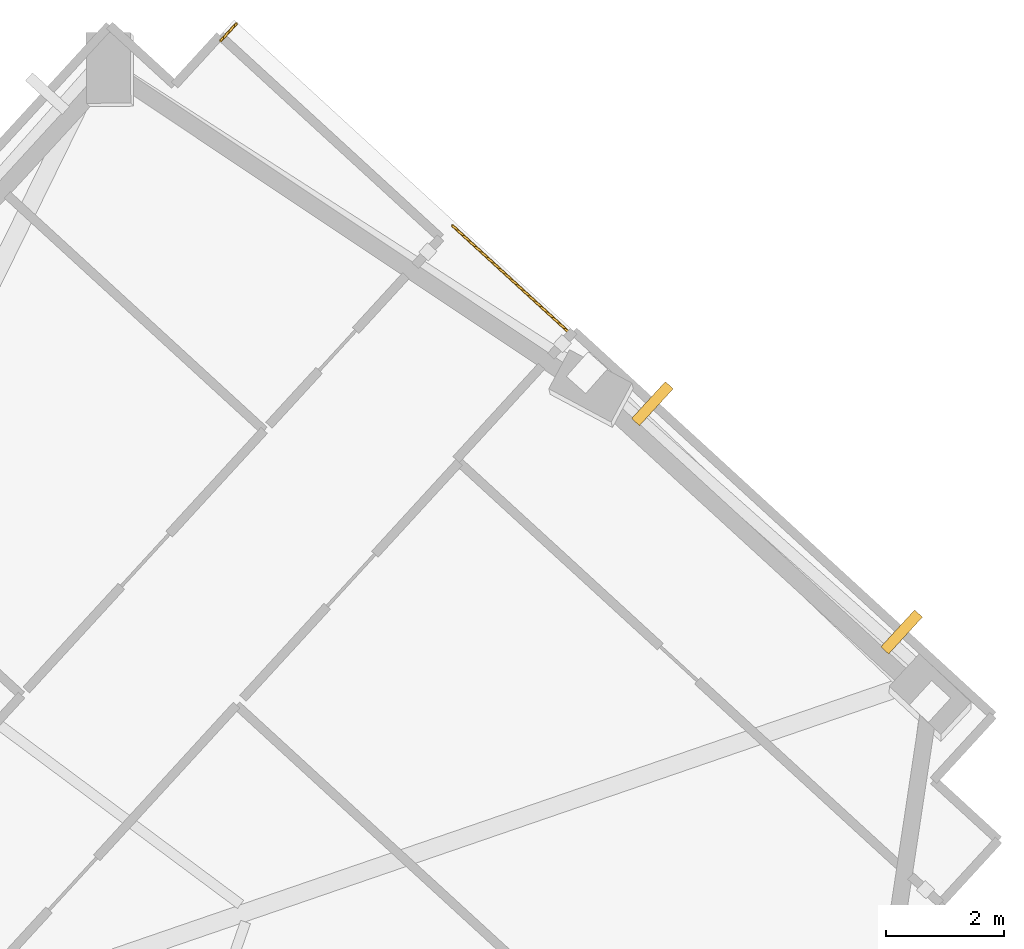
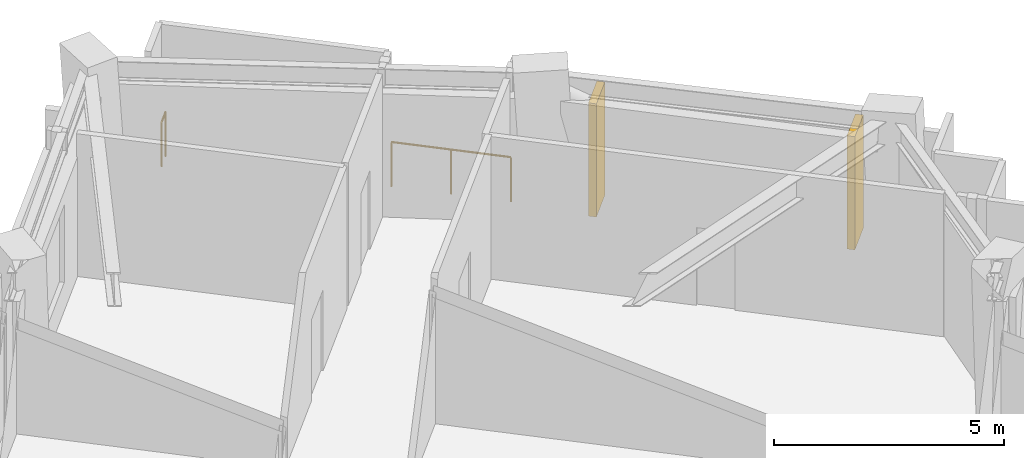
# One storey, part 12 of 12: 2 railings, 2 shading devices.
"""IFC4 building model written with IfcOpenShell, lengths in metres."""

from ifc_helpers import new_model, si_unit, direction, frame, origin, origin_2d, place, context, subcontext, project, spatial, rectangle, circle, extrude, material, layer, layer_set, type_object, element, save


model = new_model("IFC4")

# Units and contexts
model_context = context("Model", 3, precision=1e-05, world=origin(), true_north=direction((0.0, 1.0)))
body_context = subcontext(model_context, "Body", "Model", "MODEL_VIEW")
ifc_project = project(units=[si_unit("LENGTHUNIT", "METRE"), si_unit("AREAUNIT", "SQUARE_METRE"), si_unit("VOLUMEUNIT", "CUBIC_METRE"), si_unit("PLANEANGLEUNIT", "RADIAN"), si_unit("MASSUNIT", "GRAM", prefix="KILO")], contexts=[model_context])

# Site, building, storey
site_placement = place(None, origin())
site = spatial("IfcSite", under=ifc_project, at=site_placement, CompositionType="ELEMENT")
building_placement = place(site_placement, origin())
building = spatial("IfcBuilding", under=site, at=building_placement, Name="Gaonmaruhae Medical Tower", CompositionType="ELEMENT")
storey_placement = place(building_placement, frame((0.0, 0.0, 227.199951171875)))
storey = spatial("IfcBuildingStorey", under=building, at=storey_placement, Name="L54", CompositionType="ELEMENT", Elevation=227.199951171875)

# Railings
ifc_material_1 = material(Name="Stainless steel 316L and laminated safety glass", Category="steel")
ifc_layer = layer(ifc_material_1, 0.080078125)
ifc_layer_set = layer_set([ifc_layer], Name="Stainless steel 316L and laminated safety glass")
railing_type = type_object("IfcRailingType", Name="GD-120 Outdoor Terrace Safety Glass & Steel Balustrade", PredefinedType="BALUSTRADE", material=ifc_layer_set)
railing_1_placement = place(storey_placement, frame((46.688232421875, 35.5751953125, 0.0)))
element("IfcRailing", 1, at=railing_1_placement, inside=storey, type_object=railing_type, Name="L54 Perimeter Slab Edge Safety Balustrade 01", PredefinedType="BALUSTRADE", context=body_context, shape_type="SweptSolid", body=[
    extrude(circle(Radius=0.02392578125, at=origin_2d()), frame((0.0, 0.0, 1.17578125), z_axis=(0.675724628517, 0.737154140201, 0.0), x_axis=(-0.737154140201, 0.675724628517, 0.0)), (0.0, 0.0, 1.0), 0.3935546875),
    extrude(circle(Radius=0.02099609375, at=origin_2d()), origin(), (0.0, 0.0, 1.0), 1.15185546875),
    extrude(circle(Radius=0.02099609375, at=origin_2d()), frame((0.265869140625, 0.2900390625, 0.0)), (0.0, 0.0, 1.0), 1.15185546875),
])
railing_2_placement = place(storey_placement, frame((50.627685546875, 32.43115234375, 0.0)))
element("IfcRailing", 2, at=railing_2_placement, inside=storey, type_object=railing_type, Name="L54 Perimeter Slab Edge Safety Balustrade 02", PredefinedType="BALUSTRADE", context=body_context, shape_type="SweptSolid", body=[
    extrude(circle(Radius=0.02392578125, at=origin_2d()), frame((0.0, 0.0, 1.17578125), z_axis=(0.737272231312, -0.675595779247, 0.0), x_axis=(0.675595779247, 0.737272231312, 0.0)), (0.0, 0.0, 1.0), 2.66015625),
    extrude(circle(Radius=0.02099609375, at=origin_2d()), origin(), (0.0, 0.0, 1.0), 1.15185546875),
    extrude(circle(Radius=0.02099609375, at=origin_2d()), frame((0.98046875, -0.8984375, 0.0)), (0.0, 0.0, 1.0), 1.15185546875),
    extrude(circle(Radius=0.02099609375, at=origin_2d()), frame((1.961181640625, -1.797119140625, 0.0)), (0.0, 0.0, 1.0), 1.15185546875),
])

# Shading devices
ifc_material_2 = material(Name="Pigmented coral precast concrete C45/55", Category="concrete")
shading_device_type = type_object("IfcShadingDeviceType", Name="SD-FIN1 Tower Vertical Coral Precast Shading Fin", PredefinedType="USERDEFINED", material=ifc_material_2)
for number, where, z_axis, x_axis, name in (
    (3, (54.02587890625, 29.4052734375, 0.132568359375), (0.0, 0.0, 1.0), (0.73727733681, -0.675590207616, 0.0), "L54 Vertical Coral Precast Shading Fin E01"),
    (4, (58.2626953125, 25.523193359375, 0.132568359375), (0.0, 0.0, 1.0), (0.73727733681, -0.675590207616, 0.0), "L54 Vertical Coral Precast Shading Fin E01B"),
):
    element("IfcShadingDevice", number, at=place(storey_placement, frame(where, z_axis=z_axis, x_axis=x_axis)), inside=storey, type_object=shading_device_type, Name=name, ObjectType="FIN", PredefinedType="USERDEFINED", context=body_context, shape_type="SweptSolid", body=[
        extrude(rectangle(XDim=0.179931640625, YDim=0.85009765625, at=origin_2d()), origin(), (0.0, 0.0, 1.0), 3.0),
    ])

save(model, "model.ifc")
